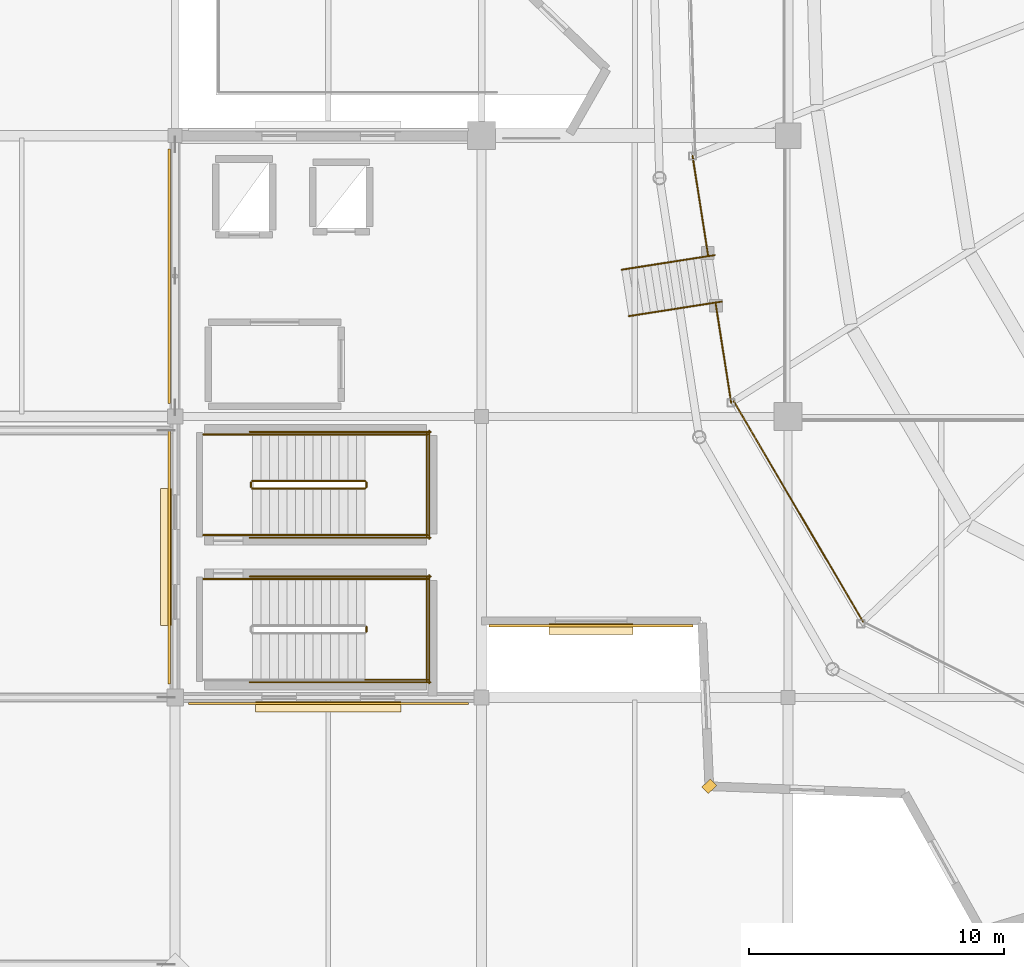
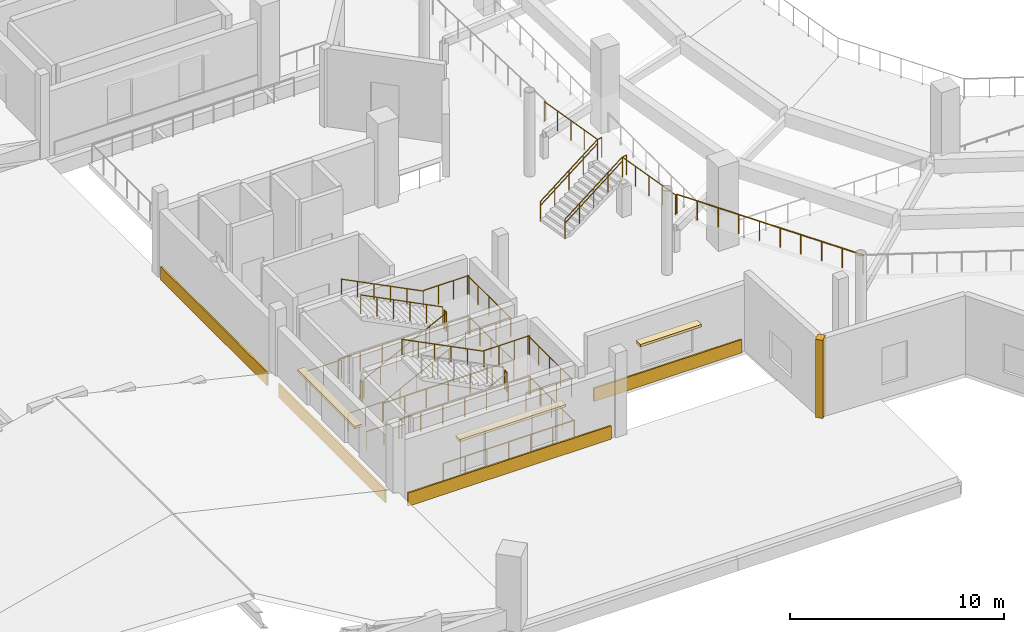
# One storey, part 65 of 77: 30 railings, 8 coverings.
"""IFC4 building model written with IfcOpenShell, lengths in metres."""

from ifc_helpers import new_model, si_unit, direction, frame, origin, origin_2d, place, context, subcontext, project, spatial, rectangle, circle, extrude, material, layer, layer_set, type_object, element, save


model = new_model("IFC4")

# Units and contexts
model_context = context("Model", 3, precision=1e-05, world=origin(), true_north=direction((0.0, 1.0)))
body_context = subcontext(model_context, "Body", "Model", "MODEL_VIEW")
ifc_project = project(units=[si_unit("LENGTHUNIT", "METRE"), si_unit("AREAUNIT", "SQUARE_METRE"), si_unit("VOLUMEUNIT", "CUBIC_METRE"), si_unit("PLANEANGLEUNIT", "RADIAN"), si_unit("MASSUNIT", "GRAM", prefix="KILO")], contexts=[model_context])

# Site, building, storey
site_placement = place(None, origin())
site = spatial("IfcSite", under=ifc_project, at=site_placement, CompositionType="ELEMENT")
building_placement = place(site_placement, origin())
building = spatial("IfcBuilding", under=site, at=building_placement, Name="Luwafu Chhajja Arena", CompositionType="ELEMENT")
storey_placement = place(building_placement, frame((0.0, 0.0, 14.699951171875)))
storey = spatial("IfcBuildingStorey", under=building, at=storey_placement, Name="L03", CompositionType="ELEMENT", Elevation=14.699951171875)

# Railings
ifc_material_1 = material(Name="Stainless steel balustrade", Category="steel")
railing_type_1 = type_object("IfcRailingType", Name="Atrium Void Glazed Balustrade 1150", PredefinedType="BALUSTRADE", material=ifc_material_1)
railing_1_placement = place(storey_placement, frame((51.77001953125, 25.93359375, 0.0)))
element("IfcRailing", 1, at=railing_1_placement, inside=storey, type_object=railing_type_1, Name="L03 Vomitory VM-13 Guard L", PredefinedType="BALUSTRADE", context=body_context, shape_type="SweptSolid", body=[
    extrude(circle(Radius=0.02392578125, at=origin_2d()), frame((0.0, 0.0, 1.1259765625), z_axis=(0.85023777586, 0.133039150578, 0.509309639527), x_axis=(-0.154591826096, 0.987978424514, 0.0)), (0.0, 0.0, 1.0), 3.98583984375),
    extrude(circle(Radius=0.02392578125, at=origin_2d()), frame((3.388916015625, 0.5302734375, 3.15576171875), z_axis=(0.98803064077, 0.154257748263, 0.0), x_axis=(-0.154257748263, 0.98803064077, 0.0)), (0.0, 0.0, 1.0), 0.25),
    extrude(circle(Radius=0.02099609375, at=origin_2d()), origin(), (0.0, 0.0, 1.0), 1.101806640625),
    extrude(circle(Radius=0.02099609375, at=origin_2d()), frame((0.84716796875, 0.132568359375, 0.507568359375)), (0.0, 0.0, 1.0), 1.101806640625),
    extrude(circle(Radius=0.02099609375, at=origin_2d()), frame((1.6943359375, 0.26513671875, 1.01513671875)), (0.0, 0.0, 1.0), 1.101806640625),
    extrude(circle(Radius=0.02099609375, at=origin_2d()), frame((2.541748046875, 0.397705078125, 1.5224609375)), (0.0, 0.0, 1.0), 1.101806640625),
    extrude(circle(Radius=0.02099609375, at=origin_2d()), frame((3.388916015625, 0.5302734375, 2.030029296875)), (0.0, 0.0, 1.0), 1.101806640625),
    extrude(circle(Radius=0.02099609375, at=origin_2d()), frame((3.635986328125, 0.56884765625, 2.030029296875)), (0.0, 0.0, 1.0), 1.101806640625),
])
railing_2_placement = place(storey_placement, frame((51.485595703125, 27.75146484375, 0.0)))
element("IfcRailing", 2, at=railing_2_placement, inside=storey, type_object=railing_type_1, Name="L03 Vomitory VM-13 Guard R", PredefinedType="BALUSTRADE", context=body_context, shape_type="SweptSolid", body=[
    extrude(circle(Radius=0.02392578125, at=origin_2d()), frame((0.0, 0.0, 1.1259765625), z_axis=(0.850220801891, 0.133046079374, 0.509336164822), x_axis=(-0.154602697631, 0.987976723352, 0.0)), (0.0, 0.0, 1.0), 3.985595703125),
    extrude(circle(Radius=0.02392578125, at=origin_2d()), frame((3.388671875, 0.5302734375, 3.15576171875), z_axis=(0.98803064077, 0.154257748263, 0.0), x_axis=(-0.154257748263, 0.98803064077, 0.0)), (0.0, 0.0, 1.0), 0.25),
    extrude(circle(Radius=0.02099609375, at=origin_2d()), origin(), (0.0, 0.0, 1.0), 1.101806640625),
    extrude(circle(Radius=0.02099609375, at=origin_2d()), frame((0.84716796875, 0.132568359375, 0.507568359375)), (0.0, 0.0, 1.0), 1.101806640625),
    extrude(circle(Radius=0.02099609375, at=origin_2d()), frame((1.6943359375, 0.26513671875, 1.01513671875)), (0.0, 0.0, 1.0), 1.101806640625),
    extrude(circle(Radius=0.02099609375, at=origin_2d()), frame((2.54150390625, 0.397705078125, 1.5224609375)), (0.0, 0.0, 1.0), 1.101806640625),
    extrude(circle(Radius=0.02099609375, at=origin_2d()), frame((3.388671875, 0.5302734375, 2.030029296875)), (0.0, 0.0, 1.0), 1.101806640625),
    extrude(circle(Radius=0.02099609375, at=origin_2d()), frame((3.6357421875, 0.56884765625, 2.030029296875)), (0.0, 0.0, 1.0), 1.101806640625),
])
for number, where, name in (
    (3, (55.772705078125, 22.5419921875, 2.030029296875), "L03 Vomitory VM-13 Wing Guard L"),
    (4, (54.874267578125, 28.28173828125, 2.030029296875), "L03 Vomitory VM-13 Wing Guard R"),
):
    element("IfcRailing", number, at=place(storey_placement, frame(where)), inside=storey, type_object=railing_type_1, Name=name, PredefinedType="BALUSTRADE", context=body_context, shape_type="SweptSolid", body=[
        extrude(circle(Radius=0.02392578125, at=origin_2d()), frame((0.0, 0.0, 1.1259765625), z_axis=(-0.154617022341, 0.987974481656, 0.0), x_axis=(-0.987974481656, -0.154617022341, 0.0)), (0.0, 0.0, 1.0), 3.9697265625),
        extrude(circle(Radius=0.02099609375, at=origin_2d()), origin(), (0.0, 0.0, 1.0), 1.101806640625),
        extrude(circle(Radius=0.02099609375, at=origin_2d()), frame((-0.1533203125, 0.98046875, 0.0)), (0.0, 0.0, 1.0), 1.101806640625),
        extrude(circle(Radius=0.02099609375, at=origin_2d()), frame((-0.306884765625, 1.9609375, 0.0)), (0.0, 0.0, 1.0), 1.101806640625),
        extrude(circle(Radius=0.02099609375, at=origin_2d()), frame((-0.46044921875, 2.94140625, 0.0)), (0.0, 0.0, 1.0), 1.101806640625),
        extrude(circle(Radius=0.02099609375, at=origin_2d()), frame((-0.61376953125, 3.921875, 0.0)), (0.0, 0.0, 1.0), 1.101806640625),
    ])

# Coverings
ifc_material_2 = material(Name="Red laterite sandstone cladding", Category="masonry")
ifc_layer = layer(ifc_material_2, 0.074951171875, Name="Red laterite sandstone cladding")
ifc_layer_set = layer_set([ifc_layer], Name="Red laterite sandstone cladding")
covering_type = type_object("IfcCoveringType", Name="Dressed Red-Laterite Sandstone Cladding", PredefinedType="CLADDING", material=ifc_layer_set)
covering_1_placement = place(storey_placement, frame((54.91650390625, 7.52392578125, 0.0), z_axis=(0.0, 0.0, 1.0), x_axis=(-0.724206686844, -0.689582971607, 0.0)))
element("IfcCovering", 5, at=covering_1_placement, inside=storey, type_object=covering_type, Name="L03 Pleated Bowl Sandstone Ridge Fin 21", PredefinedType="CLADDING", context=body_context, shape_type="SweptSolid", body=[
    extrude(rectangle(XDim=0.4599609375, YDim=0.360107421875, at=origin_2d()), origin(), (0.0, 0.0, 1.0), 4.455078125),
])
covering_2_placement = place(storey_placement, frame((40.0, 10.76806640625, 0.0), z_axis=(0.0, 0.0, 1.0), x_axis=(1.0, 0.0, 0.0)))
element("IfcCovering", 6, at=covering_2_placement, inside=storey, type_object=covering_type, Name="L03 Red-Laterite Sandstone Plinth Cladding 074", PredefinedType="CLADDING", context=body_context, shape_type="SweptSolid", body=[
    extrude(rectangle(XDim=10.9599609375, YDim=0.0849609375, at=origin_2d()), origin(), (0.0, 0.0, 1.0), 0.760009765625),
])
covering_3_placement = place(storey_placement, frame((40.0, 10.639892578125, 2.93017578125), z_axis=(0.0, 0.0, 1.0), x_axis=(1.0, 0.0, 0.0)))
element("IfcCovering", 7, at=covering_3_placement, inside=storey, type_object=covering_type, Name="L03 Mughal Sandstone Window Chhajja Hood 0070", PredefinedType="CLADDING", context=body_context, shape_type="SweptSolid", body=[
    extrude(rectangle(XDim=5.703369140625, YDim=0.419921875, at=origin_2d()), origin(), (0.0, 0.0, 1.0), 0.139892578125),
])
covering_4_placement = place(storey_placement, frame((33.76806640625, 16.5, 0.0), z_axis=(0.0, 0.0, 1.0), x_axis=(0.0, 1.0, 0.0)))
element("IfcCovering", 8, at=covering_4_placement, inside=storey, type_object=covering_type, Name="L03 Red-Laterite Sandstone Plinth Cladding 075", PredefinedType="CLADDING", context=body_context, shape_type="SweptSolid", body=[
    extrude(rectangle(XDim=9.9599609375, YDim=0.0849609375, at=origin_2d()), origin(), (0.0, 0.0, 1.0), 0.760009765625),
])
covering_5_placement = place(storey_placement, frame((33.639892578125, 16.5, 2.93017578125), z_axis=(0.0, 0.0, 1.0), x_axis=(0.0, 1.0, 0.0)))
element("IfcCovering", 9, at=covering_5_placement, inside=storey, type_object=covering_type, Name="L03 Mughal Sandstone Window Chhajja Hood 0071", PredefinedType="CLADDING", context=body_context, shape_type="SweptSolid", body=[
    extrude(rectangle(XDim=5.3701171875, YDim=0.419921875, at=origin_2d()), origin(), (0.0, 0.0, 1.0), 0.139892578125),
])
covering_6_placement = place(storey_placement, frame((33.76806640625, 27.5, 0.0), z_axis=(0.0, 0.0, 1.0), x_axis=(0.0, 1.0, 0.0)))
element("IfcCovering", 10, at=covering_6_placement, inside=storey, type_object=covering_type, Name="L03 Red-Laterite Sandstone Plinth Cladding 077", PredefinedType="CLADDING", context=body_context, shape_type="SweptSolid", body=[
    extrude(rectangle(XDim=9.9599609375, YDim=0.0849609375, at=origin_2d()), origin(), (0.0, 0.0, 1.0), 0.760009765625),
])
covering_7_placement = place(storey_placement, frame((50.287109375, 13.80810546875, 0.0), z_axis=(0.0, 0.0, 1.0), x_axis=(1.0, 0.0, 0.0)))
element("IfcCovering", 11, at=covering_7_placement, inside=storey, type_object=covering_type, Name="L03 Red-Laterite Sandstone Plinth Cladding 086", PredefinedType="CLADDING", context=body_context, shape_type="SweptSolid", body=[
    extrude(rectangle(XDim=7.97412109375, YDim=0.0849609375, at=origin_2d()), origin(), (0.0, 0.0, 1.0), 0.760009765625),
])
covering_8_placement = place(storey_placement, frame((50.287109375, 13.679931640625, 2.47998046875), z_axis=(0.0, 0.0, 1.0), x_axis=(1.0, 0.0, 0.0)))
element("IfcCovering", 12, at=covering_8_placement, inside=storey, type_object=covering_type, Name="L03 Mughal Sandstone Window Chhajja Hood 0080", PredefinedType="CLADDING", context=body_context, shape_type="SweptSolid", body=[
    extrude(rectangle(XDim=3.300048828125, YDim=0.419921875, at=origin_2d()), origin(), (0.0, 0.0, 1.0), 0.139892578125),
])

# Railings
railing_type_2 = type_object("IfcRailingType", Name="Seating Bowl Sightline Barrier 1100", PredefinedType="BALUSTRADE", material=ifc_material_1)
railing_3_placement = place(storey_placement, frame((55.868896484375, 22.606201171875, 2.030029296875)))
element("IfcRailing", 13, at=railing_3_placement, inside=storey, type_object=railing_type_2, Name="L03 Upper Tier Rear Barrier 0117", PredefinedType="BALUSTRADE", context=body_context, shape_type="SweptSolid", body=[
    extrude(circle(Radius=0.02392578125, at=origin_2d()), frame((0.0, 0.0, 1.09619140625), z_axis=(0.505876655953, -0.86260582479, 0.0), x_axis=(0.86260582479, 0.505876655953, 0.0)), (0.0, 0.0, 1.0), 10.00634765625),
    extrude(circle(Radius=0.02099609375, at=origin_2d()), origin(), (0.0, 0.0, 1.0), 1.072021484375),
    extrude(circle(Radius=0.02099609375, at=origin_2d()), frame((0.5625, -0.958984375, 0.0)), (0.0, 0.0, 1.0), 1.072021484375),
    extrude(circle(Radius=0.02099609375, at=origin_2d()), frame((1.125, -1.918212890625, 0.0)), (0.0, 0.0, 1.0), 1.072021484375),
    extrude(circle(Radius=0.02099609375, at=origin_2d()), frame((1.687255859375, -2.877197265625, 0.0)), (0.0, 0.0, 1.0), 1.072021484375),
    extrude(circle(Radius=0.02099609375, at=origin_2d()), frame((2.249755859375, -3.836181640625, 0.0)), (0.0, 0.0, 1.0), 1.072021484375),
    extrude(circle(Radius=0.02099609375, at=origin_2d()), frame((2.812255859375, -4.79541015625, 0.0)), (0.0, 0.0, 1.0), 1.072021484375),
    extrude(circle(Radius=0.02099609375, at=origin_2d()), frame((3.374755859375, -5.75439453125, 0.0)), (0.0, 0.0, 1.0), 1.072021484375),
    extrude(circle(Radius=0.02099609375, at=origin_2d()), frame((3.93701171875, -6.71337890625, 0.0)), (0.0, 0.0, 1.0), 1.072021484375),
    extrude(circle(Radius=0.02099609375, at=origin_2d()), frame((4.49951171875, -7.672607421875, 0.0)), (0.0, 0.0, 1.0), 1.072021484375),
    extrude(circle(Radius=0.02099609375, at=origin_2d()), frame((5.06201171875, -8.631591796875, 0.0)), (0.0, 0.0, 1.0), 1.072021484375),
])
ifc_material_3 = material(Name="Stainless steel handrail", Category="steel")
railing_type_3 = type_object("IfcRailingType", Name="Stair Pitch Wall Handrail 920", PredefinedType="HANDRAIL", material=ifc_material_3)
railing_4_placement = place(storey_placement, frame((41.43994140625, 15.639892578125, 2.571533203125)))
element("IfcRailing", 14, at=railing_4_placement, inside=storey, type_object=railing_type_3, Name="L03 ST-01 stair handrail 2", PredefinedType="HANDRAIL", context=body_context, shape_type="SweptSolid", body=[
    extrude(circle(Radius=0.02392578125, at=origin_2d()), frame((0.0, 0.0, 0.8759765625), z_axis=(-0.89292277971, 0.0, 0.450209850486), x_axis=(0.0, -1.0, 0.0)), (0.0, 0.0, 1.0), 4.949951171875),
    extrude(circle(Radius=0.02099609375, at=origin_2d()), origin(), (0.0, 0.0, 1.0), 0.851806640625),
    extrude(circle(Radius=0.02099609375, at=origin_2d()), frame((-0.884033203125, 0.0, 0.44580078125)), (0.0, 0.0, 1.0), 0.851806640625),
    extrude(circle(Radius=0.02099609375, at=origin_2d()), frame((-1.76806640625, 0.0, 0.891357421875)), (0.0, 0.0, 1.0), 0.851806640625),
    extrude(circle(Radius=0.02099609375, at=origin_2d()), frame((-2.65185546875, 0.0, 1.337158203125)), (0.0, 0.0, 1.0), 0.851806640625),
    extrude(circle(Radius=0.02099609375, at=origin_2d()), frame((-3.535888671875, 0.0, 1.78271484375)), (0.0, 0.0, 1.0), 0.851806640625),
    extrude(circle(Radius=0.02099609375, at=origin_2d()), frame((-4.419921875, 0.0, 2.228515625)), (0.0, 0.0, 1.0), 0.851806640625),
])
railing_5_placement = place(storey_placement, frame((37.02001953125, 17.360107421875, 0.17138671875)))
element("IfcRailing", 15, at=railing_5_placement, inside=storey, type_object=railing_type_3, Name="L03 ST-02 stair handrail 1", PredefinedType="HANDRAIL", context=body_context, shape_type="SweptSolid", body=[
    extrude(circle(Radius=0.02392578125, at=origin_2d()), frame((0.0, 0.0, 0.8759765625), z_axis=(0.892902951771, 0.0, 0.450249174034), x_axis=(0.0, 1.0, 0.0)), (0.0, 0.0, 1.0), 4.949951171875),
    extrude(circle(Radius=0.02099609375, at=origin_2d()), origin(), (0.0, 0.0, 1.0), 0.851806640625),
    extrude(circle(Radius=0.02099609375, at=origin_2d()), frame((0.884033203125, 0.0, 0.44580078125)), (0.0, 0.0, 1.0), 0.851806640625),
    extrude(circle(Radius=0.02099609375, at=origin_2d()), frame((1.76806640625, 0.0, 0.8916015625)), (0.0, 0.0, 1.0), 0.851806640625),
    extrude(circle(Radius=0.02099609375, at=origin_2d()), frame((2.65185546875, 0.0, 1.337158203125)), (0.0, 0.0, 1.0), 0.851806640625),
    extrude(circle(Radius=0.02099609375, at=origin_2d()), frame((3.535888671875, 0.0, 1.782958984375)), (0.0, 0.0, 1.0), 0.851806640625),
    extrude(circle(Radius=0.02099609375, at=origin_2d()), frame((4.419921875, 0.0, 2.228759765625)), (0.0, 0.0, 1.0), 0.851806640625),
])
railing_6_placement = place(storey_placement, frame((41.43994140625, 21.300048828125, 2.571533203125)))
element("IfcRailing", 16, at=railing_6_placement, inside=storey, type_object=railing_type_3, Name="L03 ST-02 stair handrail 2", PredefinedType="HANDRAIL", context=body_context, shape_type="SweptSolid", body=[
    extrude(circle(Radius=0.02392578125, at=origin_2d()), frame((0.0, 0.0, 0.8759765625), z_axis=(-0.89292277971, 0.0, 0.450209850486), x_axis=(0.0, -1.0, 0.0)), (0.0, 0.0, 1.0), 4.949951171875),
    extrude(circle(Radius=0.02099609375, at=origin_2d()), origin(), (0.0, 0.0, 1.0), 0.851806640625),
    extrude(circle(Radius=0.02099609375, at=origin_2d()), frame((-0.884033203125, 0.0, 0.44580078125)), (0.0, 0.0, 1.0), 0.851806640625),
    extrude(circle(Radius=0.02099609375, at=origin_2d()), frame((-1.76806640625, 0.0, 0.891357421875)), (0.0, 0.0, 1.0), 0.851806640625),
    extrude(circle(Radius=0.02099609375, at=origin_2d()), frame((-2.65185546875, 0.0, 1.337158203125)), (0.0, 0.0, 1.0), 0.851806640625),
    extrude(circle(Radius=0.02099609375, at=origin_2d()), frame((-3.535888671875, 0.0, 1.78271484375)), (0.0, 0.0, 1.0), 0.851806640625),
    extrude(circle(Radius=0.02099609375, at=origin_2d()), frame((-4.419921875, 0.0, 2.228515625)), (0.0, 0.0, 1.0), 0.851806640625),
])
railing_7_placement = place(storey_placement, frame((51.77001953125, 25.93359375, 0.0)))
element("IfcRailing", 17, at=railing_7_placement, inside=storey, type_object=railing_type_3, Name="L03 Vomitory VM-13 Handrail L", PredefinedType="HANDRAIL", context=body_context, shape_type="SweptSolid", body=[
    extrude(circle(Radius=0.02392578125, at=origin_2d()), frame((0.0, 0.0, 0.89599609375), z_axis=(0.85023777586, 0.133039150578, 0.509309639527), x_axis=(-0.154591826096, 0.987978424514, 0.0)), (0.0, 0.0, 1.0), 3.98583984375),
    extrude(circle(Radius=0.02099609375, at=origin_2d()), origin(), (0.0, 0.0, 1.0), 0.871826171875),
    extrude(circle(Radius=0.02099609375, at=origin_2d()), frame((0.84716796875, 0.132568359375, 0.507568359375)), (0.0, 0.0, 1.0), 0.871826171875),
    extrude(circle(Radius=0.02099609375, at=origin_2d()), frame((1.6943359375, 0.26513671875, 1.01513671875)), (0.0, 0.0, 1.0), 0.871826171875),
    extrude(circle(Radius=0.02099609375, at=origin_2d()), frame((2.541748046875, 0.397705078125, 1.5224609375)), (0.0, 0.0, 1.0), 0.871826171875),
    extrude(circle(Radius=0.02099609375, at=origin_2d()), frame((3.388916015625, 0.5302734375, 2.030029296875)), (0.0, 0.0, 1.0), 0.871826171875),
])
railing_8_placement = place(storey_placement, frame((51.485595703125, 27.75146484375, 0.0)))
element("IfcRailing", 18, at=railing_8_placement, inside=storey, type_object=railing_type_3, Name="L03 Vomitory VM-13 Handrail R", PredefinedType="HANDRAIL", context=body_context, shape_type="SweptSolid", body=[
    extrude(circle(Radius=0.02392578125, at=origin_2d()), frame((0.0, 0.0, 0.89599609375), z_axis=(0.850220801891, 0.133046079374, 0.509336164822), x_axis=(-0.154602697631, 0.987976723352, 0.0)), (0.0, 0.0, 1.0), 3.985595703125),
    extrude(circle(Radius=0.02099609375, at=origin_2d()), origin(), (0.0, 0.0, 1.0), 0.871826171875),
    extrude(circle(Radius=0.02099609375, at=origin_2d()), frame((0.84716796875, 0.132568359375, 0.507568359375)), (0.0, 0.0, 1.0), 0.871826171875),
    extrude(circle(Radius=0.02099609375, at=origin_2d()), frame((1.6943359375, 0.26513671875, 1.01513671875)), (0.0, 0.0, 1.0), 0.871826171875),
    extrude(circle(Radius=0.02099609375, at=origin_2d()), frame((2.54150390625, 0.397705078125, 1.5224609375)), (0.0, 0.0, 1.0), 0.871826171875),
    extrude(circle(Radius=0.02099609375, at=origin_2d()), frame((3.388671875, 0.5302734375, 2.030029296875)), (0.0, 0.0, 1.0), 0.871826171875),
])
railing_type_4 = type_object("IfcRailingType", Name="Stair and Terrace Guard Balustrade 1100", PredefinedType="BALUSTRADE", material=ifc_material_1)
railing_9_placement = place(storey_placement, frame((41.489990234375, 13.570068359375, 2.400146484375)))
element("IfcRailing", 19, at=railing_9_placement, inside=storey, type_object=railing_type_4, Name="L03 ST-01 stair guard 2", PredefinedType="BALUSTRADE", context=body_context, shape_type="SweptSolid", body=[
    extrude(circle(Radius=0.02392578125, at=origin_2d()), frame((0.0, 0.0, 1.076171875), z_axis=(0.0, 1.0, 0.0), x_axis=(-1.0, 0.0, 0.0)), (0.0, 0.0, 1.0), 0.199951171875),
    extrude(circle(Radius=0.02099609375, at=origin_2d()), origin(), (0.0, 0.0, 1.0), 1.052001953125),
    extrude(circle(Radius=0.02099609375, at=origin_2d()), frame((0.0, 0.199951171875, 0.0)), (0.0, 0.0, 1.0), 1.052001953125),
])
for number, where, name in (
    (20, (41.43994140625, 11.699951171875, 2.400146484375), "L03 ST-01 stair guard 3"),
    (21, (41.43994140625, 15.639892578125, 2.400146484375), "L03 ST-01 stair guard 4"),
):
    element("IfcRailing", number, at=place(storey_placement, frame(where)), inside=storey, type_object=railing_type_4, Name=name, PredefinedType="BALUSTRADE", context=body_context, shape_type="SweptSolid", body=[
        extrude(circle(Radius=0.02392578125, at=origin_2d()), frame((0.0, 0.0, 1.076171875), z_axis=(1.0, 0.0, 0.0), x_axis=(0.0, 1.0, 0.0)), (0.0, 0.0, 1.0), 2.4599609375),
        extrude(circle(Radius=0.02099609375, at=origin_2d()), origin(), (0.0, 0.0, 1.0), 1.052001953125),
        extrude(circle(Radius=0.02099609375, at=origin_2d()), frame((0.820068359375, 0.0, 0.0)), (0.0, 0.0, 1.0), 1.052001953125),
        extrude(circle(Radius=0.02099609375, at=origin_2d()), frame((1.639892578125, 0.0, 0.0)), (0.0, 0.0, 1.0), 1.052001953125),
        extrude(circle(Radius=0.02099609375, at=origin_2d()), frame((2.4599609375, 0.0, 0.0)), (0.0, 0.0, 1.0), 1.052001953125),
    ])
railing_10_placement = place(storey_placement, frame((43.85009765625, 11.64990234375, 2.400146484375)))
element("IfcRailing", 22, at=railing_10_placement, inside=storey, type_object=railing_type_4, Name="L03 ST-01 stair guard 5", PredefinedType="BALUSTRADE", context=body_context, shape_type="SweptSolid", body=[
    extrude(circle(Radius=0.02392578125, at=origin_2d()), frame((0.0, 0.0, 1.076171875), z_axis=(0.0, 1.0, 0.0), x_axis=(-1.0, 0.0, 0.0)), (0.0, 0.0, 1.0), 4.0400390625),
    extrude(circle(Radius=0.02099609375, at=origin_2d()), origin(), (0.0, 0.0, 1.0), 1.052001953125),
    extrude(circle(Radius=0.02099609375, at=origin_2d()), frame((0.0, 1.010009765625, 0.0)), (0.0, 0.0, 1.0), 1.052001953125),
    extrude(circle(Radius=0.02099609375, at=origin_2d()), frame((0.0, 2.02001953125, 0.0)), (0.0, 0.0, 1.0), 1.052001953125),
    extrude(circle(Radius=0.02099609375, at=origin_2d()), frame((0.0, 3.030029296875, 0.0)), (0.0, 0.0, 1.0), 1.052001953125),
    extrude(circle(Radius=0.02099609375, at=origin_2d()), frame((0.0, 4.0400390625, 0.0)), (0.0, 0.0, 1.0), 1.052001953125),
])
railing_11_placement = place(storey_placement, frame((35.10009765625, 15.639892578125, 0.0)))
element("IfcRailing", 23, at=railing_11_placement, inside=storey, type_object=railing_type_4, Name="L03 ST-01 stair guard 9", PredefinedType="BALUSTRADE", context=body_context, shape_type="SweptSolid", body=[
    extrude(circle(Radius=0.02392578125, at=origin_2d()), frame((0.0, 0.0, 1.076171875), z_axis=(1.0, 0.0, 0.0), x_axis=(0.0, 1.0, 0.0)), (0.0, 0.0, 1.0), 1.919921875),
    extrude(circle(Radius=0.02099609375, at=origin_2d()), origin(), (0.0, 0.0, 1.0), 1.052001953125),
    extrude(circle(Radius=0.02099609375, at=origin_2d()), frame((0.9599609375, 0.0, 0.0)), (0.0, 0.0, 1.0), 1.052001953125),
    extrude(circle(Radius=0.02099609375, at=origin_2d()), frame((1.919921875, 0.0, 0.0)), (0.0, 0.0, 1.0), 1.052001953125),
])
for number, where, name in (
    (24, (36.919921875, 11.60009765625, 0.0), "L03 ST-01 stair guard 10"),
    (25, (36.919921875, 15.739990234375, 0.0), "L03 ST-01 stair guard 11"),
):
    element("IfcRailing", number, at=place(storey_placement, frame(where)), inside=storey, type_object=railing_type_4, Name=name, PredefinedType="BALUSTRADE", context=body_context, shape_type="SweptSolid", body=[
        extrude(circle(Radius=0.02392578125, at=origin_2d()), frame((0.0, 0.0, 1.076171875), z_axis=(1.0, 0.0, 0.0), x_axis=(0.0, 1.0, 0.0)), (0.0, 0.0, 1.0), 7.080078125),
        extrude(circle(Radius=0.02099609375, at=origin_2d()), origin(), (0.0, 0.0, 1.0), 1.052001953125),
        extrude(circle(Radius=0.02099609375, at=origin_2d()), frame((1.179931640625, 0.0, 0.0)), (0.0, 0.0, 1.0), 1.052001953125),
        extrude(circle(Radius=0.02099609375, at=origin_2d()), frame((2.360107421875, 0.0, 0.0)), (0.0, 0.0, 1.0), 1.052001953125),
        extrude(circle(Radius=0.02099609375, at=origin_2d()), frame((3.5400390625, 0.0, 0.0)), (0.0, 0.0, 1.0), 1.052001953125),
        extrude(circle(Radius=0.02099609375, at=origin_2d()), frame((4.719970703125, 0.0, 0.0)), (0.0, 0.0, 1.0), 1.052001953125),
        extrude(circle(Radius=0.02099609375, at=origin_2d()), frame((5.900146484375, 0.0, 0.0)), (0.0, 0.0, 1.0), 1.052001953125),
        extrude(circle(Radius=0.02099609375, at=origin_2d()), frame((7.080078125, 0.0, 0.0)), (0.0, 0.0, 1.0), 1.052001953125),
    ])
railing_12_placement = place(storey_placement, frame((43.949951171875, 11.550048828125, 0.0)))
element("IfcRailing", 26, at=railing_12_placement, inside=storey, type_object=railing_type_4, Name="L03 ST-01 stair guard 12", PredefinedType="BALUSTRADE", context=body_context, shape_type="SweptSolid", body=[
    extrude(circle(Radius=0.02392578125, at=origin_2d()), frame((0.0, 0.0, 1.076171875), z_axis=(0.0, 1.0, 0.0), x_axis=(-1.0, 0.0, 0.0)), (0.0, 0.0, 1.0), 4.239990234375),
    extrude(circle(Radius=0.02099609375, at=origin_2d()), origin(), (0.0, 0.0, 1.0), 1.052001953125),
    extrude(circle(Radius=0.02099609375, at=origin_2d()), frame((0.0, 1.06005859375, 0.0)), (0.0, 0.0, 1.0), 1.052001953125),
    extrude(circle(Radius=0.02099609375, at=origin_2d()), frame((0.0, 2.1201171875, 0.0)), (0.0, 0.0, 1.0), 1.052001953125),
    extrude(circle(Radius=0.02099609375, at=origin_2d()), frame((0.0, 3.179931640625, 0.0)), (0.0, 0.0, 1.0), 1.052001953125),
    extrude(circle(Radius=0.02099609375, at=origin_2d()), frame((0.0, 4.239990234375, 0.0)), (0.0, 0.0, 1.0), 1.052001953125),
])
railing_13_placement = place(storey_placement, frame((37.02001953125, 19.179931640625, 0.17138671875)))
element("IfcRailing", 27, at=railing_13_placement, inside=storey, type_object=railing_type_4, Name="L03 ST-02 stair guard 1", PredefinedType="BALUSTRADE", context=body_context, shape_type="SweptSolid", body=[
    extrude(circle(Radius=0.02392578125, at=origin_2d()), frame((0.0, 0.0, 1.076171875), z_axis=(0.892902951771, 0.0, 0.450249174034), x_axis=(0.0, 1.0, 0.0)), (0.0, 0.0, 1.0), 4.949951171875),
    extrude(circle(Radius=0.02099609375, at=origin_2d()), origin(), (0.0, 0.0, 1.0), 1.052001953125),
    extrude(circle(Radius=0.02099609375, at=origin_2d()), frame((0.884033203125, 0.0, 0.44580078125)), (0.0, 0.0, 1.0), 1.052001953125),
    extrude(circle(Radius=0.02099609375, at=origin_2d()), frame((1.76806640625, 0.0, 0.8916015625)), (0.0, 0.0, 1.0), 1.052001953125),
    extrude(circle(Radius=0.02099609375, at=origin_2d()), frame((2.65185546875, 0.0, 1.337158203125)), (0.0, 0.0, 1.0), 1.052001953125),
    extrude(circle(Radius=0.02099609375, at=origin_2d()), frame((3.535888671875, 0.0, 1.782958984375)), (0.0, 0.0, 1.0), 1.052001953125),
    extrude(circle(Radius=0.02099609375, at=origin_2d()), frame((4.419921875, 0.0, 2.228759765625)), (0.0, 0.0, 1.0), 1.052001953125),
])
railing_14_placement = place(storey_placement, frame((41.489990234375, 19.22998046875, 2.400146484375)))
element("IfcRailing", 28, at=railing_14_placement, inside=storey, type_object=railing_type_4, Name="L03 ST-02 stair guard 2", PredefinedType="BALUSTRADE", context=body_context, shape_type="SweptSolid", body=[
    extrude(circle(Radius=0.02392578125, at=origin_2d()), frame((0.0, 0.0, 1.076171875), z_axis=(0.0, 1.0, 0.0), x_axis=(-1.0, 0.0, 0.0)), (0.0, 0.0, 1.0), 0.199951171875),
    extrude(circle(Radius=0.02099609375, at=origin_2d()), origin(), (0.0, 0.0, 1.0), 1.052001953125),
    extrude(circle(Radius=0.02099609375, at=origin_2d()), frame((0.0, 0.199951171875, 0.0)), (0.0, 0.0, 1.0), 1.052001953125),
])
for number, where, name in (
    (29, (41.43994140625, 17.360107421875, 2.400146484375), "L03 ST-02 stair guard 3"),
    (30, (41.43994140625, 21.300048828125, 2.400146484375), "L03 ST-02 stair guard 4"),
):
    element("IfcRailing", number, at=place(storey_placement, frame(where)), inside=storey, type_object=railing_type_4, Name=name, PredefinedType="BALUSTRADE", context=body_context, shape_type="SweptSolid", body=[
        extrude(circle(Radius=0.02392578125, at=origin_2d()), frame((0.0, 0.0, 1.076171875), z_axis=(1.0, 0.0, 0.0), x_axis=(0.0, 1.0, 0.0)), (0.0, 0.0, 1.0), 2.4599609375),
        extrude(circle(Radius=0.02099609375, at=origin_2d()), origin(), (0.0, 0.0, 1.0), 1.052001953125),
        extrude(circle(Radius=0.02099609375, at=origin_2d()), frame((0.820068359375, 0.0, 0.0)), (0.0, 0.0, 1.0), 1.052001953125),
        extrude(circle(Radius=0.02099609375, at=origin_2d()), frame((1.639892578125, 0.0, 0.0)), (0.0, 0.0, 1.0), 1.052001953125),
        extrude(circle(Radius=0.02099609375, at=origin_2d()), frame((2.4599609375, 0.0, 0.0)), (0.0, 0.0, 1.0), 1.052001953125),
    ])
railing_15_placement = place(storey_placement, frame((43.85009765625, 17.31005859375, 2.400146484375)))
element("IfcRailing", 31, at=railing_15_placement, inside=storey, type_object=railing_type_4, Name="L03 ST-02 stair guard 5", PredefinedType="BALUSTRADE", context=body_context, shape_type="SweptSolid", body=[
    extrude(circle(Radius=0.02392578125, at=origin_2d()), frame((0.0, 0.0, 1.076171875), z_axis=(0.0, 1.0, 0.0), x_axis=(-1.0, 0.0, 0.0)), (0.0, 0.0, 1.0), 4.0400390625),
    extrude(circle(Radius=0.02099609375, at=origin_2d()), origin(), (0.0, 0.0, 1.0), 1.052001953125),
    extrude(circle(Radius=0.02099609375, at=origin_2d()), frame((0.0, 1.010009765625, 0.0)), (0.0, 0.0, 1.0), 1.052001953125),
    extrude(circle(Radius=0.02099609375, at=origin_2d()), frame((0.0, 2.02001953125, 0.0)), (0.0, 0.0, 1.0), 1.052001953125),
    extrude(circle(Radius=0.02099609375, at=origin_2d()), frame((0.0, 3.030029296875, 0.0)), (0.0, 0.0, 1.0), 1.052001953125),
    extrude(circle(Radius=0.02099609375, at=origin_2d()), frame((0.0, 4.0400390625, 0.0)), (0.0, 0.0, 1.0), 1.052001953125),
])
railing_16_placement = place(storey_placement, frame((41.43994140625, 19.47998046875, 2.571533203125)))
element("IfcRailing", 32, at=railing_16_placement, inside=storey, type_object=railing_type_4, Name="L03 ST-02 stair guard 6", PredefinedType="BALUSTRADE", context=body_context, shape_type="SweptSolid", body=[
    extrude(circle(Radius=0.02392578125, at=origin_2d()), frame((0.0, 0.0, 1.076171875), z_axis=(-0.89292277971, 0.0, 0.450209850486), x_axis=(0.0, -1.0, 0.0)), (0.0, 0.0, 1.0), 4.949951171875),
    extrude(circle(Radius=0.02099609375, at=origin_2d()), origin(), (0.0, 0.0, 1.0), 1.052001953125),
    extrude(circle(Radius=0.02099609375, at=origin_2d()), frame((-0.884033203125, 0.0, 0.44580078125)), (0.0, 0.0, 1.0), 1.052001953125),
    extrude(circle(Radius=0.02099609375, at=origin_2d()), frame((-1.76806640625, 0.0, 0.891357421875)), (0.0, 0.0, 1.0), 1.052001953125),
    extrude(circle(Radius=0.02099609375, at=origin_2d()), frame((-2.65185546875, 0.0, 1.337158203125)), (0.0, 0.0, 1.0), 1.052001953125),
    extrude(circle(Radius=0.02099609375, at=origin_2d()), frame((-3.535888671875, 0.0, 1.78271484375)), (0.0, 0.0, 1.0), 1.052001953125),
    extrude(circle(Radius=0.02099609375, at=origin_2d()), frame((-4.419921875, 0.0, 2.228515625)), (0.0, 0.0, 1.0), 1.052001953125),
])
railing_17_placement = place(storey_placement, frame((36.969970703125, 19.22998046875, 0.0)))
element("IfcRailing", 33, at=railing_17_placement, inside=storey, type_object=railing_type_4, Name="L03 ST-02 stair guard 7", PredefinedType="BALUSTRADE", context=body_context, shape_type="SweptSolid", body=[
    extrude(circle(Radius=0.02392578125, at=origin_2d()), frame((0.0, 0.0, 1.076171875), z_axis=(0.0, 1.0, 0.0), x_axis=(-1.0, 0.0, 0.0)), (0.0, 0.0, 1.0), 0.199951171875),
    extrude(circle(Radius=0.02099609375, at=origin_2d()), origin(), (0.0, 0.0, 1.0), 1.052001953125),
    extrude(circle(Radius=0.02099609375, at=origin_2d()), frame((0.0, 0.199951171875, 0.0)), (0.0, 0.0, 1.0), 1.052001953125),
])
for number, where, name in (
    (34, (35.10009765625, 17.360107421875, 0.0), "L03 ST-02 stair guard 8"),
    (35, (35.10009765625, 21.300048828125, 0.0), "L03 ST-02 stair guard 9"),
):
    element("IfcRailing", number, at=place(storey_placement, frame(where)), inside=storey, type_object=railing_type_4, Name=name, PredefinedType="BALUSTRADE", context=body_context, shape_type="SweptSolid", body=[
        extrude(circle(Radius=0.02392578125, at=origin_2d()), frame((0.0, 0.0, 1.076171875), z_axis=(1.0, 0.0, 0.0), x_axis=(0.0, 1.0, 0.0)), (0.0, 0.0, 1.0), 1.919921875),
        extrude(circle(Radius=0.02099609375, at=origin_2d()), origin(), (0.0, 0.0, 1.0), 1.052001953125),
        extrude(circle(Radius=0.02099609375, at=origin_2d()), frame((0.9599609375, 0.0, 0.0)), (0.0, 0.0, 1.0), 1.052001953125),
        extrude(circle(Radius=0.02099609375, at=origin_2d()), frame((1.919921875, 0.0, 0.0)), (0.0, 0.0, 1.0), 1.052001953125),
    ])
for number, where, name in (
    (36, (36.919921875, 17.260009765625, 0.0), "L03 ST-02 stair guard 10"),
    (37, (36.919921875, 21.39990234375, 0.0), "L03 ST-02 stair guard 11"),
):
    element("IfcRailing", number, at=place(storey_placement, frame(where)), inside=storey, type_object=railing_type_4, Name=name, PredefinedType="BALUSTRADE", context=body_context, shape_type="SweptSolid", body=[
        extrude(circle(Radius=0.02392578125, at=origin_2d()), frame((0.0, 0.0, 1.076171875), z_axis=(1.0, 0.0, 0.0), x_axis=(0.0, 1.0, 0.0)), (0.0, 0.0, 1.0), 7.080078125),
        extrude(circle(Radius=0.02099609375, at=origin_2d()), origin(), (0.0, 0.0, 1.0), 1.052001953125),
        extrude(circle(Radius=0.02099609375, at=origin_2d()), frame((1.179931640625, 0.0, 0.0)), (0.0, 0.0, 1.0), 1.052001953125),
        extrude(circle(Radius=0.02099609375, at=origin_2d()), frame((2.360107421875, 0.0, 0.0)), (0.0, 0.0, 1.0), 1.052001953125),
        extrude(circle(Radius=0.02099609375, at=origin_2d()), frame((3.5400390625, 0.0, 0.0)), (0.0, 0.0, 1.0), 1.052001953125),
        extrude(circle(Radius=0.02099609375, at=origin_2d()), frame((4.719970703125, 0.0, 0.0)), (0.0, 0.0, 1.0), 1.052001953125),
        extrude(circle(Radius=0.02099609375, at=origin_2d()), frame((5.900146484375, 0.0, 0.0)), (0.0, 0.0, 1.0), 1.052001953125),
        extrude(circle(Radius=0.02099609375, at=origin_2d()), frame((7.080078125, 0.0, 0.0)), (0.0, 0.0, 1.0), 1.052001953125),
    ])
railing_18_placement = place(storey_placement, frame((43.949951171875, 17.2099609375, 0.0)))
element("IfcRailing", 38, at=railing_18_placement, inside=storey, type_object=railing_type_4, Name="L03 ST-02 stair guard 12", PredefinedType="BALUSTRADE", context=body_context, shape_type="SweptSolid", body=[
    extrude(circle(Radius=0.02392578125, at=origin_2d()), frame((0.0, 0.0, 1.076171875), z_axis=(0.0, 1.0, 0.0), x_axis=(-1.0, 0.0, 0.0)), (0.0, 0.0, 1.0), 4.239990234375),
    extrude(circle(Radius=0.02099609375, at=origin_2d()), origin(), (0.0, 0.0, 1.0), 1.052001953125),
    extrude(circle(Radius=0.02099609375, at=origin_2d()), frame((0.0, 1.06005859375, 0.0)), (0.0, 0.0, 1.0), 1.052001953125),
    extrude(circle(Radius=0.02099609375, at=origin_2d()), frame((0.0, 2.1201171875, 0.0)), (0.0, 0.0, 1.0), 1.052001953125),
    extrude(circle(Radius=0.02099609375, at=origin_2d()), frame((0.0, 3.179931640625, 0.0)), (0.0, 0.0, 1.0), 1.052001953125),
    extrude(circle(Radius=0.02099609375, at=origin_2d()), frame((0.0, 4.239990234375, 0.0)), (0.0, 0.0, 1.0), 1.052001953125),
])

save(model, "model.ifc")
